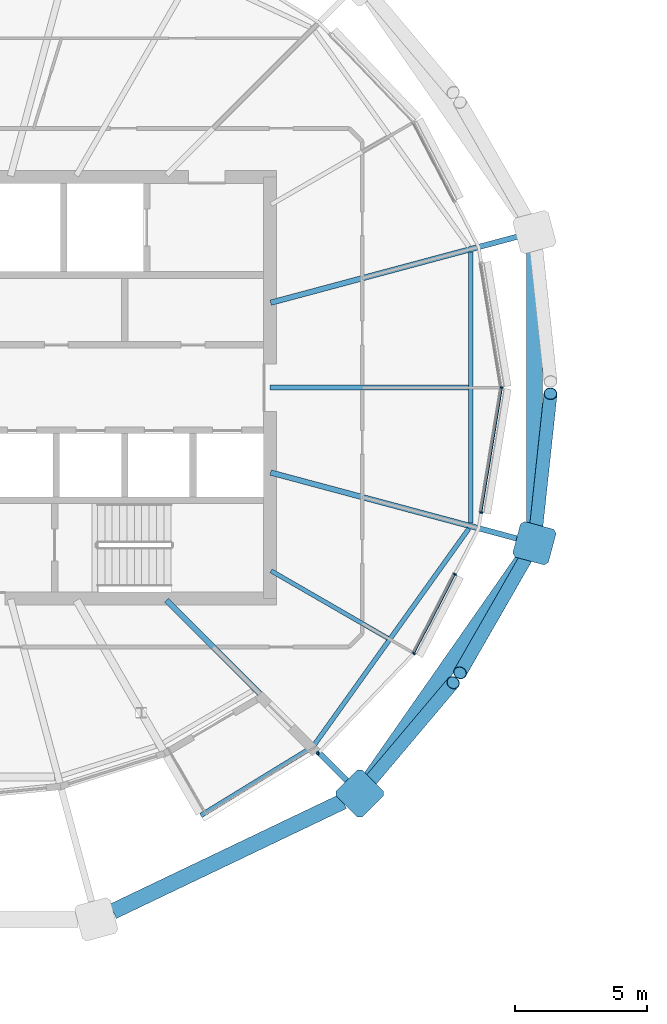
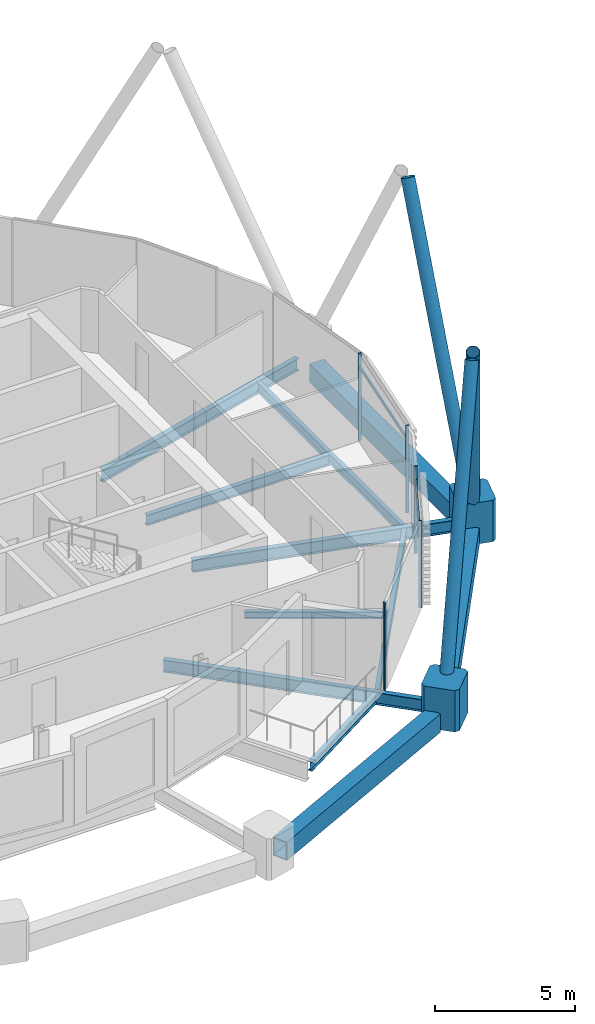
# One storey, part 6 of 34: 12 members, 11 beams, 1 element without a shape of its own.
"""IFC4 building model written with IfcOpenShell, lengths in metres."""

from ifc_helpers import new_model, si_unit, direction, frame, origin, origin_2d, place, context, subcontext, project, spatial, polyline, rectangle, hollow_rectangle, hollow_circle, i_section, outline, extrude, material, material_profile, profile_set, type_object, element, aggregate, save


model = new_model("IFC4")

# Units and contexts
model_context = context("Model", 3, precision=1e-05, world=origin(), true_north=direction((0.0, 1.0)))
body_context = subcontext(model_context, "Body", "Model", "MODEL_VIEW")
ifc_project = project(units=[si_unit("LENGTHUNIT", "METRE"), si_unit("AREAUNIT", "SQUARE_METRE"), si_unit("VOLUMEUNIT", "CUBIC_METRE"), si_unit("PLANEANGLEUNIT", "RADIAN"), si_unit("MASSUNIT", "GRAM", prefix="KILO")], contexts=[model_context])

# Site, building, storey
site_placement = place(None, origin())
site = spatial("IfcSite", under=ifc_project, at=site_placement, CompositionType="ELEMENT")
building_placement = place(site_placement, origin())
building = spatial("IfcBuilding", under=site, at=building_placement, Name="Rimbun Link Towers", CompositionType="ELEMENT")
storey_placement = place(building_placement, frame((0.0, 0.0, 221.89990234375)))
storey = spatial("IfcBuildingStorey", under=building, at=storey_placement, Name="L54", CompositionType="ELEMENT", Elevation=221.89990234375)

# Curtain wall, members
ifc_material_1 = material(Name="Aluminium 6063-T6 and low-iron glass", Category="aluminium")
curtain_wall_type = type_object("IfcCurtainWallType", Name="CW1-Z4 unitised vision wall (zone 4)", PredefinedType="NOTDEFINED", material=ifc_material_1)
curtain_wall_placement = place(storey_placement, origin())
curtain_wall = element("IfcCurtainWall", 1, at=curtain_wall_placement, inside=storey, type_object=curtain_wall_type, Name="CW1 L54 T1", PredefinedType="NOTDEFINED")
ifc_material_2 = material(Name="Aluminium 6063-T6", Category="aluminium")
ifc_material_profile_1 = material_profile(ifc_material_2, rectangle(XDim=0.1201171875, YDim=0.06005859375, at=origin_2d()), Name="MULLION 60X120")
ifc_profile_set_1 = profile_set([ifc_material_profile_1], Name="Aluminium 6063-T6")
member_type_1 = type_object("IfcMemberType", Name="CW1 mullion 60X120", PredefinedType="MULLION", material=ifc_profile_set_1)
member_1_placement = place(storey_placement, frame((-10.947265625, 0.0, 0.0), z_axis=(0.0, 0.0, 1.0), x_axis=(1.0, 0.0, 0.0)))
member_1 = element("IfcMember", 2, at=member_1_placement, type_object=member_type_1, Name="CW1 mullion", PredefinedType="MULLION", context=body_context, shape_type="SweptSolid", body=[
    extrude(rectangle(XDim=0.1201171875, YDim=0.06005859375, at=origin_2d()), origin(), (0.0, 0.0, 1.0), 3.800048828125),
])
member_2_placement = place(storey_placement, frame((-14.282958984375, -10.09130859375, 0.0), z_axis=(0.0, 0.0, 1.0), x_axis=(0.813353544339, -0.581769724128, 0.0)))
member_2 = element("IfcMember", 3, at=member_2_placement, type_object=member_type_1, Name="CW1 mullion", PredefinedType="MULLION", context=body_context, shape_type="SweptSolid", body=[
    extrude(rectangle(XDim=0.1201171875, YDim=0.06005859375, at=origin_2d()), origin(), (0.0, 0.0, 1.0), 3.800048828125),
])
member_3_placement = place(storey_placement, frame((-17.934326171875, -13.875, 0.0), z_axis=(0.0, 0.0, 1.0), x_axis=(0.010539144017, -0.999944461679, 0.0)))
member_3 = element("IfcMember", 4, at=member_3_placement, type_object=member_type_1, Name="CW1 mullion", PredefinedType="MULLION", context=body_context, shape_type="SweptSolid", body=[
    extrude(rectangle(XDim=0.1201171875, YDim=0.06005859375, at=origin_2d()), origin(), (0.0, 0.0, 1.0), 3.800048828125),
])
member_4_placement = place(storey_placement, frame((-12.7255859375, -7.082763671875, 0.0), z_axis=(0.0, 0.0, 1.0), x_axis=(0.888152943593, -0.459547983117, 0.0)))
member_4 = element("IfcMember", 5, at=member_4_placement, type_object=member_type_1, Name="CW1 mullion", PredefinedType="MULLION", context=body_context, shape_type="SweptSolid", body=[
    extrude(rectangle(XDim=0.1201171875, YDim=0.06005859375, at=origin_2d()), origin(), (0.0, 0.0, 1.0), 3.800048828125),
])
member_5_placement = place(storey_placement, frame((-11.72607421875, -4.740966796875, 0.0), z_axis=(0.0, 0.0, 1.0), x_axis=(0.986747306612, -0.162264453577, 0.0)))
member_5 = element("IfcMember", 6, at=member_5_placement, type_object=member_type_1, Name="CW1 mullion", PredefinedType="MULLION", context=body_context, shape_type="SweptSolid", body=[
    extrude(rectangle(XDim=0.1201171875, YDim=0.06005859375, at=origin_2d()), origin(), (0.0, 0.0, 1.0), 3.800048828125),
])
ifc_material_3 = material(Name="Aluminium 6063-T6", Category="aluminium")
ifc_material_profile_2 = material_profile(ifc_material_3, rectangle(XDim=0.06005859375, YDim=0.1201171875, at=origin_2d()), Name="TRANSOM 60X120")
ifc_profile_set_2 = profile_set([ifc_material_profile_2], Name="Aluminium 6063-T6")
member_type_2 = type_object("IfcMemberType", Name="CW1 transom 60X120", PredefinedType="USERDEFINED", material=ifc_profile_set_2)
member_6_placement = place(storey_placement, frame((-12.7412109375, -7.108642578125, 3.2001953125), z_axis=(-0.45952897717, -0.88816277739, 0.0), x_axis=(0.88816277739, -0.45952897717, 0.0)))
member_6 = element("IfcMember", 7, at=member_6_placement, type_object=member_type_2, Name="CW1 transom", ObjectType="TRANSOM", PredefinedType="USERDEFINED", context=body_context, shape_type="SweptSolid", body=[
    extrude(rectangle(XDim=0.06005859375, YDim=0.1201171875, at=origin_2d()), origin(), (0.0, 0.0, 1.0), 3.31884765625),
])
member_7_placement = place(storey_placement, frame((-10.954833984375, -0.0390625, 3.2001953125), z_axis=(-0.16226643408, -0.986746980928, 0.0), x_axis=(0.986746980928, -0.16226643408, 0.0)))
member_7 = element("IfcMember", 8, at=member_7_placement, type_object=member_type_2, Name="CW1 transom", ObjectType="TRANSOM", PredefinedType="USERDEFINED", context=body_context, shape_type="SweptSolid", body=[
    extrude(rectangle(XDim=0.06005859375, YDim=0.1201171875, at=origin_2d()), origin(), (0.0, 0.0, 1.0), 4.73486328125),
])
aggregate(curtain_wall, [member_1, member_2, member_3, member_4, member_5, member_6, member_7])

# Members
ifc_material_4 = material(Name="Steel S355J2H", Category="steel")
ifc_material_profile_3 = material_profile(ifc_material_4, hollow_circle(Radius=0.25390625, WallThickness=0.02001953125, at=origin_2d()), Name="Diagrid diagonal CHS 508x20")
ifc_profile_set_3 = profile_set([ifc_material_profile_3], Name="Steel S355J2H")
member_type_3 = type_object("IfcMemberType", Name="Diagrid diagonal CHS 508x20", PredefinedType="BRACE", material=ifc_profile_set_3)
member_8_placement = place(storey_placement, frame((-16.19921875, -15.234375, 0.44677734375), z_axis=(0.28955822764, 0.343167817756, 0.893527773302), x_axis=(-0.764280087871, 0.644884444908, 0.0)))
element("IfcMember", 9, at=member_8_placement, inside=storey, type_object=member_type_3, Name="Diagrid diagonal T1 L54-L57 21b", PredefinedType="BRACE", context=body_context, shape_type="SweptSolid", body=[
    extrude(hollow_circle(Radius=0.25390625, WallThickness=0.02001953125, at=origin_2d()), origin(), (0.0, 0.0, 1.0), 11.758544921875),
])
member_9_placement = place(storey_placement, frame((-9.82373046875, -6.105224609375, 0.444091796875), z_axis=(-0.229027300633, -0.398931490252, 0.887919006244), x_axis=(0.867242701375, -0.497885626336, 0.0)))
element("IfcMember", 10, at=member_9_placement, inside=storey, type_object=member_type_3, Name="Diagrid diagonal T1 L54-L57 23a", PredefinedType="BRACE", context=body_context, shape_type="SweptSolid", body=[
    extrude(hollow_circle(Radius=0.25390625, WallThickness=0.02001953125, at=origin_2d()), origin(), (0.0, 0.0, 1.0), 11.8388671875),
])
member_10_placement = place(storey_placement, frame((-9.6845703125, -5.676025390625, 0.443603515625), z_axis=(0.049344684371, 0.459424548809, 0.88684507445), x_axis=(-0.994281467527, 0.106791213744, 0.0)))
element("IfcMember", 11, at=member_10_placement, inside=storey, type_object=member_type_3, Name="Diagrid diagonal T1 L54-L57 23b", PredefinedType="BRACE", context=body_context, shape_type="SweptSolid", body=[
    extrude(hollow_circle(Radius=0.25390625, WallThickness=0.02001953125, at=origin_2d()), origin(), (0.0, 0.0, 1.0), 11.8544921875),
])
ifc_material_5 = material(Name="Cast steel G20Mn5+QT, Rp0.2 300 MPa", Category="steel")
ifc_material_profile_4 = material_profile(ifc_material_5, outline(polyline([(0.699951171875, -0.570068359375), (0.699951171875, 0.570068359375), (0.570068359375, 0.699951171875), (-0.570068359375, 0.699951171875), (-0.699951171875, 0.570068359375), (-0.699951171875, -0.570068359375), (-0.570068359375, -0.699951171875), (0.570068359375, -0.699951171875), (0.699951171875, -0.570068359375)])), Name="NODE 1400x1400")
ifc_profile_set_4 = profile_set([ifc_material_profile_4], Name="Cast steel G20Mn5+QT, Rp0.2 300 MPa")
member_type_4 = type_object("IfcMemberType", Name="Diagrid node cast 1400", PredefinedType="USERDEFINED", material=ifc_profile_set_4)
for number, where, z_axis, x_axis, name in (
    (12, (-16.343994140625, -15.406005859375, -0.89990234375), (0.0, 0.0, 1.0), (0.707106781187, -0.707106781187, 0.0), "Diagrid node L54 21"),
    (13, (-9.709228515625, -5.90576171875, -0.89990234375), (0.0, 0.0, 1.0), (0.965925826289, -0.258819045103, 0.0), "Diagrid node L54 23"),
):
    element("IfcMember", number, at=place(storey_placement, frame(where, z_axis=z_axis, x_axis=x_axis)), inside=storey, type_object=member_type_4, Name=name, ObjectType="Diagrid node", PredefinedType="USERDEFINED", context=body_context, shape_type="SweptSolid", body=[
        extrude(outline(polyline([(0.699951171875, -0.570068359375), (0.699951171875, 0.570068359375), (0.570068359375, 0.699951171875), (-0.570068359375, 0.699951171875), (-0.699951171875, 0.570068359375), (-0.699951171875, -0.570068359375), (-0.570068359375, -0.699951171875), (0.570068359375, -0.699951171875), (0.699951171875, -0.570068359375)])), origin(), (0.0, 0.0, 1.0), 1.800048828125),
    ])

# Beams
ifc_material_6 = material(Name="Steel S355J2", Category="steel")
ifc_material_profile_5 = material_profile(ifc_material_6, hollow_rectangle(XDim=0.60009765625, YDim=0.800048828125, WallThickness=0.0400390625, at=origin_2d()), Name="Exoskeleton ring girder BOX 600x800x40")
ifc_profile_set_5 = profile_set([ifc_material_profile_5], Name="Steel S355J2")
beam_type_1 = type_object("IfcBeamType", Name="Exoskeleton ring girder BOX 600x800x40", PredefinedType="BEAM", material=ifc_profile_set_5)
beam_1_placement = place(storey_placement, frame((-25.7099609375, -19.88330078125, -0.559814453125), z_axis=(0.902205479774, 0.431306471393, 0.0), x_axis=(-0.431306471393, 0.902205479774, 0.0)))
element("IfcBeam", 14, at=beam_1_placement, inside=storey, type_object=beam_type_1, Name="Exoskeleton ring girder L54 09", PredefinedType="BEAM", context=body_context, shape_type="SweptSolid", body=[
    extrude(hollow_rectangle(XDim=0.60009765625, YDim=0.800048828125, WallThickness=0.0400390625, at=origin_2d()), origin(), (0.0, 0.0, 1.0), 9.68115234375),
])
beam_2_placement = place(storey_placement, frame((-15.943359375, -14.83203125, -0.559814453125), z_axis=(0.572582245507, 0.819847285859, 0.0), x_axis=(-0.819847285859, 0.572582245507, 0.0)))
element("IfcBeam", 15, at=beam_2_placement, inside=storey, type_object=beam_type_1, Name="Exoskeleton ring girder L54 10", PredefinedType="BEAM", context=body_context, shape_type="SweptSolid", body=[
    extrude(hollow_rectangle(XDim=0.60009765625, YDim=0.800048828125, WallThickness=0.0400390625, at=origin_2d()), origin(), (0.0, 0.0, 1.0), 10.187744140625),
])
beam_3_placement = place(storey_placement, frame((-9.709228515625, -5.205810546875, -0.559814453125), z_axis=(0.0, 1.0, 0.0), x_axis=(-1.0, 0.0, 0.0)))
element("IfcBeam", 16, at=beam_3_placement, inside=storey, type_object=beam_type_1, Name="Exoskeleton ring girder L54 11", PredefinedType="BEAM", context=body_context, shape_type="SweptSolid", body=[
    extrude(hollow_rectangle(XDim=0.60009765625, YDim=0.800048828125, WallThickness=0.0400390625, at=origin_2d()), origin(), (0.0, 0.0, 1.0), 10.41162109375),
])
ifc_material_7 = material(Name="Steel S355J2", Category="steel")
ifc_material_profile_6 = material_profile(ifc_material_7, i_section(OverallWidth=0.1650390625, OverallDepth=0.303466796875, WebThickness=0.006103515625, FlangeThickness=0.01025390625, at=origin_2d()), Name="UB 305x165x40")
ifc_profile_set_6 = profile_set([ifc_material_profile_6], Name="Steel S355J2")
beam_type_2 = type_object("IfcBeamType", Name="UB 305x165x40", PredefinedType="BEAM", material=ifc_profile_set_6)
beam_4_placement = place(storey_placement, frame((-19.7080078125, -6.952392578125, -0.29150390625), z_axis=(0.866016235635, -0.500015879365, 0.0), x_axis=(0.500015879365, 0.866016235635, 0.0)))
element("IfcBeam", 17, at=beam_4_placement, inside=storey, type_object=beam_type_2, Name="Radial beam T1 L54 22", PredefinedType="BEAM", context=body_context, shape_type="SweptSolid", body=[
    extrude(i_section(OverallWidth=0.1650390625, OverallDepth=0.303466796875, WebThickness=0.006103515625, FlangeThickness=0.01025390625, at=origin_2d()), origin(), (0.0, 0.0, 1.0), 5.113525390625),
])
ifc_material_8 = material(Name="Steel S355J2", Category="steel")
ifc_material_profile_7 = material_profile(ifc_material_8, i_section(OverallWidth=0.177978515625, OverallDepth=0.406494140625, WebThickness=0.0078125, FlangeThickness=0.0126953125, at=origin_2d()), Name="UB 406x178x60")
ifc_profile_set_7 = profile_set([ifc_material_profile_7], Name="Steel S355J2")
beam_type_3 = type_object("IfcBeamType", Name="UB 406x178x60", PredefinedType="BEAM", material=ifc_profile_set_7)
beam_5_placement = place(storey_placement, frame((-22.37255859375, -16.240234375, -0.343017578125), z_axis=(0.852732602627, 0.522347689205, 0.0), x_axis=(-0.522347689205, 0.852732602627, 0.0)))
element("IfcBeam", 18, at=beam_5_placement, inside=storey, type_object=beam_type_3, Name="Edge beam T1 L54 20 terrace", PredefinedType="BEAM", context=body_context, shape_type="SweptSolid", body=[
    extrude(i_section(OverallWidth=0.177978515625, OverallDepth=0.406494140625, WebThickness=0.0078125, FlangeThickness=0.0126953125, at=origin_2d()), origin(), (0.0, 0.0, 1.0), 4.86083984375),
])
beam_6_placement = place(storey_placement, frame((-18.054443359375, -13.546142578125, -0.343017578125), z_axis=(0.581481126682, 0.813559892886, 0.0), x_axis=(-0.813559892886, 0.581481126682, 0.0)))
element("IfcBeam", 19, at=beam_6_placement, inside=storey, type_object=beam_type_3, Name="Edge beam T1 L54 21-23", PredefinedType="BEAM", context=body_context, shape_type="SweptSolid", body=[
    extrude(i_section(OverallWidth=0.177978515625, OverallDepth=0.406494140625, WebThickness=0.0078125, FlangeThickness=0.0126953125, at=origin_2d()), origin(), (0.0, 0.0, 1.0), 10.07568359375),
])
beam_7_placement = place(storey_placement, frame((-12.1298828125, -5.147705078125, -0.343017578125), z_axis=(0.0, 1.0, 0.0), x_axis=(-1.0, 0.0, 0.0)))
element("IfcBeam", 20, at=beam_7_placement, inside=storey, type_object=beam_type_3, Name="Edge beam T1 L54 23-01", PredefinedType="BEAM", context=body_context, shape_type="SweptSolid", body=[
    extrude(i_section(OverallWidth=0.177978515625, OverallDepth=0.406494140625, WebThickness=0.0078125, FlangeThickness=0.0126953125, at=origin_2d()), origin(), (0.0, 0.0, 1.0), 10.29541015625),
])
ifc_material_9 = material(Name="Steel S355J2", Category="steel")
ifc_material_profile_8 = material_profile(ifc_material_9, i_section(OverallWidth=0.18994140625, OverallDepth=0.453369140625, WebThickness=0.008544921875, FlangeThickness=0.0126953125, at=origin_2d()), Name="UB 457x191x67")
ifc_profile_set_8 = profile_set([ifc_material_profile_8], Name="Steel S355J2")
beam_type_4 = type_object("IfcBeamType", Name="UB 457x191x67", PredefinedType="BEAM", material=ifc_profile_set_8)
beam_8_placement = place(storey_placement, frame((-19.7490234375, 0.0, -0.36669921875), z_axis=(1.0, 0.0, 0.0), x_axis=(0.0, 1.0, 0.0)))
element("IfcBeam", 21, at=beam_8_placement, inside=storey, type_object=beam_type_4, Name="Radial beam T1 L54 00", PredefinedType="BEAM", context=body_context, shape_type="SweptSolid", body=[
    extrude(i_section(OverallWidth=0.18994140625, OverallDepth=0.453369140625, WebThickness=0.008544921875, FlangeThickness=0.0126953125, at=origin_2d()), origin(), (0.0, 0.0, 1.0), 7.529052734375),
])
ifc_material_10 = material(Name="Steel S355J2", Category="steel")
ifc_material_profile_9 = material_profile(ifc_material_10, i_section(OverallWidth=0.209228515625, OverallDepth=0.533203125, WebThickness=0.010009765625, FlangeThickness=0.015625, at=origin_2d()), Name="UB 533x210x92")
ifc_profile_set_9 = profile_set([ifc_material_profile_9], Name="Steel S355J2")
beam_type_5 = type_object("IfcBeamType", Name="UB 533x210x92", PredefinedType="BEAM", material=ifc_profile_set_9)
beam_9_placement = place(storey_placement, frame((-19.721923828125, 3.222900390625, -0.406494140625), z_axis=(0.965924965284, 0.258822258394, 0.0), x_axis=(-0.258822258394, 0.965924965284, 0.0)))
element("IfcBeam", 22, at=beam_9_placement, inside=storey, type_object=beam_type_5, Name="Radial beam T1 L54 01", PredefinedType="BEAM", context=body_context, shape_type="SweptSolid", body=[
    extrude(i_section(OverallWidth=0.209228515625, OverallDepth=0.533203125, WebThickness=0.010009765625, FlangeThickness=0.015625, at=origin_2d()), origin(), (0.0, 0.0, 1.0), 9.86572265625),
])
beam_10_placement = place(storey_placement, frame((-23.67529296875, -8.07470703125, -0.406494140625), z_axis=(0.707106781187, -0.707106781187, 0.0), x_axis=(0.707106781187, 0.707106781187, 0.0)))
element("IfcBeam", 23, at=beam_10_placement, inside=storey, type_object=beam_type_5, Name="Radial beam T1 L54 21", PredefinedType="BEAM", context=body_context, shape_type="SweptSolid", body=[
    extrude(i_section(OverallWidth=0.209228515625, OverallDepth=0.533203125, WebThickness=0.010009765625, FlangeThickness=0.015625, at=origin_2d()), origin(), (0.0, 0.0, 1.0), 9.86767578125),
])
beam_11_placement = place(storey_placement, frame((-19.721923828125, -3.222900390625, -0.406494140625), z_axis=(0.965924965284, -0.258822258394, 0.0), x_axis=(0.258822258394, 0.965924965284, 0.0)))
element("IfcBeam", 24, at=beam_11_placement, inside=storey, type_object=beam_type_5, Name="Radial beam T1 L54 23", PredefinedType="BEAM", context=body_context, shape_type="SweptSolid", body=[
    extrude(i_section(OverallWidth=0.209228515625, OverallDepth=0.533203125, WebThickness=0.010009765625, FlangeThickness=0.015625, at=origin_2d()), origin(), (0.0, 0.0, 1.0), 9.86572265625),
])

save(model, "model.ifc")
